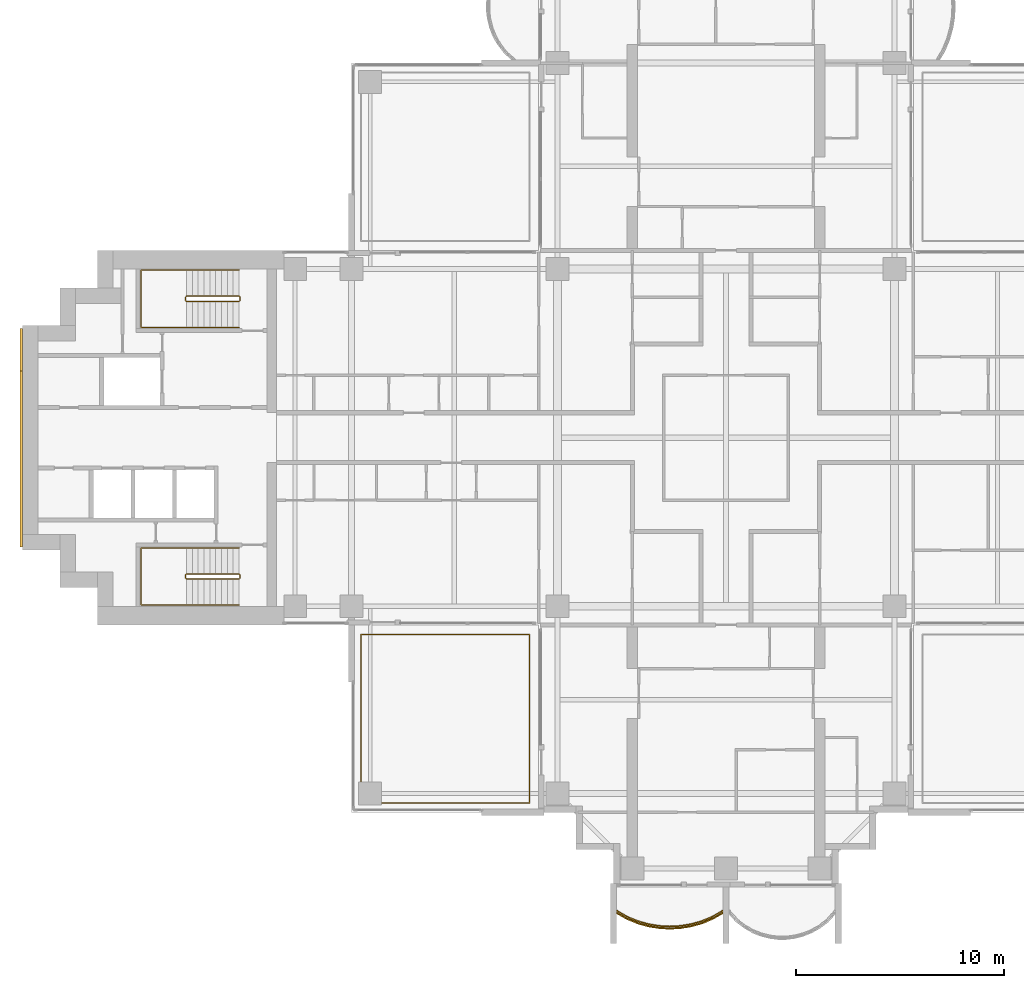
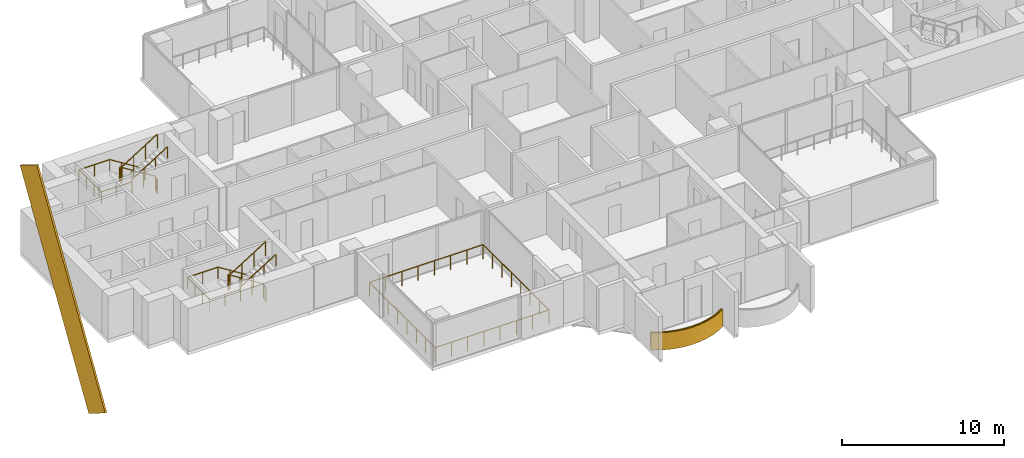
# One storey, part 16 of 19: 6 railings, 2 coverings.
"""IFC4 building model written with IfcOpenShell, lengths in metres."""

from ifc_helpers import new_model, si_unit, direction, frame, origin, origin_2d, place, context, subcontext, project, spatial, polyline, rectangle, outline, extrude, material, layer, layer_set, material_profile, profile_set, type_object, element, save


model = new_model("IFC4")

# Units and contexts
model_context = context("Model", 3, precision=1e-05, world=origin(), true_north=direction((0.0, 1.0)))
body_context = subcontext(model_context, "Body", "Model", "MODEL_VIEW")
ifc_project = project(units=[si_unit("LENGTHUNIT", "METRE"), si_unit("AREAUNIT", "SQUARE_METRE"), si_unit("VOLUMEUNIT", "CUBIC_METRE"), si_unit("PLANEANGLEUNIT", "RADIAN"), si_unit("MASSUNIT", "GRAM", prefix="KILO")], contexts=[model_context])

# Site, building, storey
site_placement = place(None, origin())
site = spatial("IfcSite", under=ifc_project, at=site_placement, CompositionType="ELEMENT")
building_placement = place(site_placement, origin())
building = spatial("IfcBuilding", under=site, at=building_placement, Name="Perihelion Cross Residences", CompositionType="ELEMENT")
storey_placement = place(building_placement, frame((0.0, 0.0, 109.39990234375)))
storey = spatial("IfcBuildingStorey", under=building, at=storey_placement, Name="L25", CompositionType="ELEMENT", Elevation=109.39990234375)

# Covering
ifc_material_1 = material(Name="Bronze anodised aluminium", Category="aluminium")
ifc_layer = layer(ifc_material_1, 0.070068359375)
ifc_layer_set = layer_set([ifc_layer], Name="Balcony fascia 1300")
covering_type_1 = type_object("IfcCoveringType", Name="Balcony fascia 1300", PredefinedType="CLADDING", material=ifc_layer_set)
covering_1_placement = place(storey_placement, frame((0.0, 0.0, -0.199951171875)))
element("IfcCovering", 1, at=covering_1_placement, inside=storey, type_object=covering_type_1, Name="Fascia BF1 L25 south tip south bay 1", PredefinedType="CLADDING", context=body_context, shape_type="SweptSolid", body=[
    extrude(outline(polyline([(-4.7705078125, -23.1484375), (-4.2529296875, -23.36083984375), (-3.735107421875, -23.506591796875), (-3.217529296875, -23.591796875), (-2.699951171875, -23.6201171875), (-2.182373046875, -23.591796875), (-1.664794921875, -23.506591796875), (-1.147216796875, -23.36083984375), (-0.629638671875, -23.1484375), (-0.14990234375, -22.880126953125), (-0.14990234375, -22.800048828125), (-0.659912109375, -23.085205078125), (-1.169921875, -23.294677734375), (-1.679931640625, -23.438232421875), (-2.18994140625, -23.522216796875), (-2.699951171875, -23.550048828125), (-3.2099609375, -23.522216796875), (-3.719970703125, -23.438232421875), (-4.22998046875, -23.294677734375), (-4.739990234375, -23.085205078125), (-5.25, -22.800048828125), (-5.25, -22.880126953125), (-4.7705078125, -23.1484375)])), origin(), (0.0, 0.0, 1.0), 1.300048828125),
])

# Railings
ifc_material_2 = material(Name="Bronze anodised aluminium", Category="aluminium")
railing_type_1 = type_object("IfcRailingType", Name="Balcony guard 1100", PredefinedType="GUARDRAIL", material=ifc_material_2)
railing_1_placement = place(storey_placement, frame((-5.22509765625, -22.739990234375, 0.0)))
element("IfcRailing", 2, at=railing_1_placement, inside=storey, type_object=railing_type_1, Name="Guard GU1 L25 south tip south bay 1 balcony", PredefinedType="GUARDRAIL", context=body_context, shape_type="SweptSolid", body=[
    extrude(rectangle(XDim=0.048095703125, YDim=0.048095703125, at=origin_2d()), frame((0.0, 0.0, 1.076171875), z_axis=(0.861900760591, -0.507076995033, 0.0), x_axis=(0.507076995033, 0.861900760591, 0.0)), (0.0, 0.0, 1.0), 0.562744140625),
    extrude(rectangle(XDim=0.048095703125, YDim=0.048095703125, at=origin_2d()), frame((0.485107421875, -0.285400390625, 1.076171875), z_axis=(0.925172605972, -0.379546636342, 0.0), x_axis=(0.379546636342, 0.925172605972, 0.0)), (0.0, 0.0, 1.0), 0.55126953125),
    extrude(rectangle(XDim=0.048095703125, YDim=0.048095703125, at=origin_2d()), frame((0.9951171875, -0.49462890625, 1.076171875), z_axis=(0.962594623481, -0.270945734134, 0.0), x_axis=(0.270945734134, 0.962594623481, 0.0)), (0.0, 0.0, 1.0), 0.52978515625),
    extrude(rectangle(XDim=0.048095703125, YDim=0.048095703125, at=origin_2d()), frame((1.505126953125, -0.63818359375, 1.076171875), z_axis=(0.98663538303, -0.162943612803, 0.0), x_axis=(0.162943612803, 0.98663538303, 0.0)), (0.0, 0.0, 1.0), 0.516845703125),
    extrude(rectangle(XDim=0.048095703125, YDim=0.048095703125, at=origin_2d()), frame((2.01513671875, -0.722412109375, 1.076171875), z_axis=(0.998540183677, -0.05401390175, 0.0), x_axis=(0.05401390175, 0.998540183677, 0.0)), (0.0, 0.0, 1.0), 0.5107421875),
    extrude(rectangle(XDim=0.048095703125, YDim=0.048095703125, at=origin_2d()), frame((2.525146484375, -0.75, 1.076171875), z_axis=(0.998540183677, 0.05401390175, 0.0), x_axis=(-0.05401390175, 0.998540183677, 0.0)), (0.0, 0.0, 1.0), 0.5107421875),
    extrude(rectangle(XDim=0.048095703125, YDim=0.048095703125, at=origin_2d()), frame((3.03515625, -0.722412109375, 1.076171875), z_axis=(0.98663538303, 0.162943612803, 0.0), x_axis=(-0.162943612803, 0.98663538303, 0.0)), (0.0, 0.0, 1.0), 0.516845703125),
    extrude(rectangle(XDim=0.048095703125, YDim=0.048095703125, at=origin_2d()), frame((3.545166015625, -0.63818359375, 1.076171875), z_axis=(0.962594623481, 0.270945734134, 0.0), x_axis=(-0.270945734134, 0.962594623481, 0.0)), (0.0, 0.0, 1.0), 0.52978515625),
    extrude(rectangle(XDim=0.048095703125, YDim=0.048095703125, at=origin_2d()), frame((4.05517578125, -0.49462890625, 1.076171875), z_axis=(0.925172605972, 0.379546636342, 0.0), x_axis=(-0.379546636342, 0.925172605972, 0.0)), (0.0, 0.0, 1.0), 0.55126953125),
    extrude(rectangle(XDim=0.048095703125, YDim=0.048095703125, at=origin_2d()), frame((4.565185546875, -0.285400390625, 1.076171875), z_axis=(0.861789164031, 0.507266632806, 0.0), x_axis=(-0.507266632806, 0.861789164031, 0.0)), (0.0, 0.0, 1.0), 0.562744140625),
    extrude(rectangle(XDim=0.0419921875, YDim=0.0419921875, at=origin_2d()), origin(), (0.0, 0.0, 1.0), 1.052001953125),
    extrude(rectangle(XDim=0.0419921875, YDim=0.0419921875, at=origin_2d()), frame((0.485107421875, -0.285400390625, 0.0)), (0.0, 0.0, 1.0), 1.052001953125),
    extrude(rectangle(XDim=0.0419921875, YDim=0.0419921875, at=origin_2d()), frame((0.9951171875, -0.49462890625, 0.0)), (0.0, 0.0, 1.0), 1.052001953125),
    extrude(rectangle(XDim=0.0419921875, YDim=0.0419921875, at=origin_2d()), frame((1.505126953125, -0.63818359375, 0.0)), (0.0, 0.0, 1.0), 1.052001953125),
    extrude(rectangle(XDim=0.0419921875, YDim=0.0419921875, at=origin_2d()), frame((2.01513671875, -0.722412109375, 0.0)), (0.0, 0.0, 1.0), 1.052001953125),
    extrude(rectangle(XDim=0.0419921875, YDim=0.0419921875, at=origin_2d()), frame((2.525146484375, -0.75, 0.0)), (0.0, 0.0, 1.0), 1.052001953125),
    extrude(rectangle(XDim=0.0419921875, YDim=0.0419921875, at=origin_2d()), frame((3.03515625, -0.722412109375, 0.0)), (0.0, 0.0, 1.0), 1.052001953125),
    extrude(rectangle(XDim=0.0419921875, YDim=0.0419921875, at=origin_2d()), frame((3.545166015625, -0.63818359375, 0.0)), (0.0, 0.0, 1.0), 1.052001953125),
    extrude(rectangle(XDim=0.0419921875, YDim=0.0419921875, at=origin_2d()), frame((4.05517578125, -0.49462890625, 0.0)), (0.0, 0.0, 1.0), 1.052001953125),
    extrude(rectangle(XDim=0.0419921875, YDim=0.0419921875, at=origin_2d()), frame((4.565185546875, -0.285400390625, 0.0)), (0.0, 0.0, 1.0), 1.052001953125),
    extrude(rectangle(XDim=0.0419921875, YDim=0.0419921875, at=origin_2d()), frame((5.050048828125, 0.0, 0.0)), (0.0, 0.0, 1.0), 1.052001953125),
])
railing_2_placement = place(storey_placement, frame((-9.449951171875, -17.550048828125, 0.0)))
element("IfcRailing", 3, at=railing_2_placement, inside=storey, type_object=railing_type_1, Name="Guard GU1 L25 pocket south-west 1", PredefinedType="GUARDRAIL", context=body_context, shape_type="SweptSolid", body=[
    extrude(rectangle(XDim=0.048095703125, YDim=0.048095703125, at=origin_2d()), frame((0.0, 0.0, 1.076171875), z_axis=(-1.0, 0.0, 0.0), x_axis=(0.0, -1.0, 0.0)), (0.0, 0.0, 1.0), 8.10009765625),
    extrude(rectangle(XDim=0.048095703125, YDim=0.048095703125, at=origin_2d()), frame((-8.10009765625, 0.0, 1.076171875), z_axis=(0.0, 1.0, 0.0), x_axis=(-1.0, 0.0, 0.0)), (0.0, 0.0, 1.0), 8.10009765625),
    extrude(rectangle(XDim=0.048095703125, YDim=0.048095703125, at=origin_2d()), frame((-8.10009765625, 8.10009765625, 1.076171875), z_axis=(1.0, 0.0, 0.0), x_axis=(0.0, 1.0, 0.0)), (0.0, 0.0, 1.0), 8.10009765625),
    extrude(rectangle(XDim=0.048095703125, YDim=0.048095703125, at=origin_2d()), frame((0.0, 8.10009765625, 1.076171875), z_axis=(0.0, -1.0, 0.0), x_axis=(1.0, 0.0, 0.0)), (0.0, 0.0, 1.0), 8.10009765625),
    extrude(rectangle(XDim=0.0419921875, YDim=0.0419921875, at=origin_2d()), origin(), (0.0, 0.0, 1.0), 1.052001953125),
    extrude(rectangle(XDim=0.0419921875, YDim=0.0419921875, at=origin_2d()), frame((-1.1572265625, 0.0, 0.0)), (0.0, 0.0, 1.0), 1.052001953125),
    extrude(rectangle(XDim=0.0419921875, YDim=0.0419921875, at=origin_2d()), frame((-2.314208984375, 0.0, 0.0)), (0.0, 0.0, 1.0), 1.052001953125),
    extrude(rectangle(XDim=0.0419921875, YDim=0.0419921875, at=origin_2d()), frame((-3.471435546875, 0.0, 0.0)), (0.0, 0.0, 1.0), 1.052001953125),
    extrude(rectangle(XDim=0.0419921875, YDim=0.0419921875, at=origin_2d()), frame((-4.628662109375, 0.0, 0.0)), (0.0, 0.0, 1.0), 1.052001953125),
    extrude(rectangle(XDim=0.0419921875, YDim=0.0419921875, at=origin_2d()), frame((-5.785888671875, 0.0, 0.0)), (0.0, 0.0, 1.0), 1.052001953125),
    extrude(rectangle(XDim=0.0419921875, YDim=0.0419921875, at=origin_2d()), frame((-6.94287109375, 0.0, 0.0)), (0.0, 0.0, 1.0), 1.052001953125),
    extrude(rectangle(XDim=0.0419921875, YDim=0.0419921875, at=origin_2d()), frame((-8.10009765625, 0.0, 0.0)), (0.0, 0.0, 1.0), 1.052001953125),
    extrude(rectangle(XDim=0.0419921875, YDim=0.0419921875, at=origin_2d()), frame((-8.10009765625, 1.1572265625, 0.0)), (0.0, 0.0, 1.0), 1.052001953125),
    extrude(rectangle(XDim=0.0419921875, YDim=0.0419921875, at=origin_2d()), frame((-8.10009765625, 2.314208984375, 0.0)), (0.0, 0.0, 1.0), 1.052001953125),
    extrude(rectangle(XDim=0.0419921875, YDim=0.0419921875, at=origin_2d()), frame((-8.10009765625, 3.471435546875, 0.0)), (0.0, 0.0, 1.0), 1.052001953125),
    extrude(rectangle(XDim=0.0419921875, YDim=0.0419921875, at=origin_2d()), frame((-8.10009765625, 4.628662109375, 0.0)), (0.0, 0.0, 1.0), 1.052001953125),
    extrude(rectangle(XDim=0.0419921875, YDim=0.0419921875, at=origin_2d()), frame((-8.10009765625, 5.785888671875, 0.0)), (0.0, 0.0, 1.0), 1.052001953125),
    extrude(rectangle(XDim=0.0419921875, YDim=0.0419921875, at=origin_2d()), frame((-8.10009765625, 6.94287109375, 0.0)), (0.0, 0.0, 1.0), 1.052001953125),
    extrude(rectangle(XDim=0.0419921875, YDim=0.0419921875, at=origin_2d()), frame((-8.10009765625, 8.10009765625, 0.0)), (0.0, 0.0, 1.0), 1.052001953125),
    extrude(rectangle(XDim=0.0419921875, YDim=0.0419921875, at=origin_2d()), frame((-6.94287109375, 8.10009765625, 0.0)), (0.0, 0.0, 1.0), 1.052001953125),
    extrude(rectangle(XDim=0.0419921875, YDim=0.0419921875, at=origin_2d()), frame((-5.785888671875, 8.10009765625, 0.0)), (0.0, 0.0, 1.0), 1.052001953125),
    extrude(rectangle(XDim=0.0419921875, YDim=0.0419921875, at=origin_2d()), frame((-4.628662109375, 8.10009765625, 0.0)), (0.0, 0.0, 1.0), 1.052001953125),
    extrude(rectangle(XDim=0.0419921875, YDim=0.0419921875, at=origin_2d()), frame((-3.471435546875, 8.10009765625, 0.0)), (0.0, 0.0, 1.0), 1.052001953125),
    extrude(rectangle(XDim=0.0419921875, YDim=0.0419921875, at=origin_2d()), frame((-2.314208984375, 8.10009765625, 0.0)), (0.0, 0.0, 1.0), 1.052001953125),
    extrude(rectangle(XDim=0.0419921875, YDim=0.0419921875, at=origin_2d()), frame((-1.1572265625, 8.10009765625, 0.0)), (0.0, 0.0, 1.0), 1.052001953125),
    extrude(rectangle(XDim=0.0419921875, YDim=0.0419921875, at=origin_2d()), frame((0.0, 8.10009765625, 0.0)), (0.0, 0.0, 1.0), 1.052001953125),
    extrude(rectangle(XDim=0.0419921875, YDim=0.0419921875, at=origin_2d()), frame((0.0, 6.94287109375, 0.0)), (0.0, 0.0, 1.0), 1.052001953125),
    extrude(rectangle(XDim=0.0419921875, YDim=0.0419921875, at=origin_2d()), frame((0.0, 5.785888671875, 0.0)), (0.0, 0.0, 1.0), 1.052001953125),
    extrude(rectangle(XDim=0.0419921875, YDim=0.0419921875, at=origin_2d()), frame((0.0, 4.628662109375, 0.0)), (0.0, 0.0, 1.0), 1.052001953125),
    extrude(rectangle(XDim=0.0419921875, YDim=0.0419921875, at=origin_2d()), frame((0.0, 3.471435546875, 0.0)), (0.0, 0.0, 1.0), 1.052001953125),
    extrude(rectangle(XDim=0.0419921875, YDim=0.0419921875, at=origin_2d()), frame((0.0, 2.314208984375, 0.0)), (0.0, 0.0, 1.0), 1.052001953125),
    extrude(rectangle(XDim=0.0419921875, YDim=0.0419921875, at=origin_2d()), frame((0.0, 1.1572265625, 0.0)), (0.0, 0.0, 1.0), 1.052001953125),
])

# Covering
ifc_material_3 = material(Name="Bronze anodised aluminium", Category="aluminium")
ifc_material_profile = material_profile(ifc_material_3, rectangle(XDim=0.125, YDim=2.39990234375, at=origin_2d()), Name="Bronze cladding band 2400")
ifc_profile_set = profile_set([ifc_material_profile], Name="Bronze anodised aluminium")
covering_type_2 = type_object("IfcCoveringType", Name="Bronze cladding band 2400", PredefinedType="CLADDING", material=ifc_profile_set)
covering_2_placement = place(storey_placement, frame((-33.862548828125, -4.232421875, -6.214111328125), z_axis=(0.0, 0.529924750763, 0.848044667767), x_axis=(-1.0, 0.0, 0.0)))
element("IfcCovering", 4, at=covering_2_placement, inside=storey, type_object=covering_type_2, Name="Core cladding band, west core", PredefinedType="CLADDING", context=body_context, shape_type="SweptSolid", body=[
    extrude(rectangle(XDim=0.125, YDim=2.39990234375, at=origin_2d()), origin(), (0.0, 0.0, 1.0), 15.9736328125),
])

# Railings
ifc_material_4 = material(Name="Stainless steel", Category="steel")
railing_type_2 = type_object("IfcRailingType", Name="Stair guard 1100", PredefinedType="GUARDRAIL", material=ifc_material_4)
railing_3_placement = place(storey_placement, frame((-23.35009765625, 6.60009765625, 0.0)))
element("IfcRailing", 5, at=railing_3_placement, inside=storey, type_object=railing_type_2, Name="L25 ST-W1 stair guard 1", PredefinedType="GUARDRAIL", context=body_context, shape_type="SweptSolid", body=[
    extrude(rectangle(XDim=0.048095703125, YDim=0.048095703125, at=origin_2d()), frame((0.0, 0.0, 1.076171875), z_axis=(0.0, 1.0, 0.0), x_axis=(-1.0, 0.0, 0.0)), (0.0, 0.0, 1.0), 0.14990234375),
    extrude(rectangle(XDim=0.048095703125, YDim=0.048095703125, at=origin_2d()), frame((0.0, 0.14990234375, 1.076171875), z_axis=(-0.263862480399, 0.265155923931, 0.927399011991), x_axis=(-0.708833529934, -0.705375805398, 0.0)), (0.0, 0.0, 1.0), 0.188720703125),
    extrude(rectangle(XDim=0.048095703125, YDim=0.048095703125, at=origin_2d()), frame((-0.0498046875, 0.199951171875, 1.2509765625), z_axis=(-0.848007534815, 0.0, 0.529984170421), x_axis=(0.0, -1.0, 0.0)), (0.0, 0.0, 1.0), 2.9716796875),
    extrude(rectangle(XDim=0.048095703125, YDim=0.048095703125, at=origin_2d()), frame((-2.56982421875, 0.199951171875, 2.826171875), z_axis=(-0.707106781187, -0.707106781187, 0.0), x_axis=(0.707106781187, -0.707106781187, 0.0)), (0.0, 0.0, 1.0), 0.07080078125),
    extrude(rectangle(XDim=0.048095703125, YDim=0.048095703125, at=origin_2d()), frame((-2.619873046875, 0.14990234375, 2.826171875), z_axis=(0.0, -1.0, 0.0), x_axis=(1.0, 0.0, 0.0)), (0.0, 0.0, 1.0), 0.14990234375),
    extrude(rectangle(XDim=0.048095703125, YDim=0.048095703125, at=origin_2d()), frame((-2.619873046875, 0.0, 2.826171875), z_axis=(0.265065253269, -0.265065253269, 0.927081885822), x_axis=(0.707106781187, 0.707106781187, 0.0)), (0.0, 0.0, 1.0), 0.188720703125),
    extrude(rectangle(XDim=0.048095703125, YDim=0.048095703125, at=origin_2d()), frame((-2.56982421875, -0.050048828125, 3.0009765625), z_axis=(0.848007534815, 0.0, 0.529984170421), x_axis=(0.0, 1.0, 0.0)), (0.0, 0.0, 1.0), 2.9716796875),
    extrude(rectangle(XDim=0.0419921875, YDim=0.0419921875, at=origin_2d()), origin(), (0.0, 0.0, 1.0), 1.052001953125),
    extrude(rectangle(XDim=0.0419921875, YDim=0.0419921875, at=origin_2d()), frame((0.0, 0.14990234375, 0.0)), (0.0, 0.0, 1.0), 1.052001953125),
    extrude(rectangle(XDim=0.0419921875, YDim=0.0419921875, at=origin_2d()), frame((-0.0498046875, 0.199951171875, 0.175048828125)), (0.0, 0.0, 1.0), 1.052001953125),
    extrude(rectangle(XDim=0.0419921875, YDim=0.0419921875, at=origin_2d()), frame((-0.889892578125, 0.199951171875, 0.699951171875)), (0.0, 0.0, 1.0), 1.052001953125),
    extrude(rectangle(XDim=0.0419921875, YDim=0.0419921875, at=origin_2d()), frame((-1.729736328125, 0.199951171875, 1.22509765625)), (0.0, 0.0, 1.0), 1.052001953125),
    extrude(rectangle(XDim=0.0419921875, YDim=0.0419921875, at=origin_2d()), frame((-2.56982421875, 0.199951171875, 1.75)), (0.0, 0.0, 1.0), 1.052001953125),
    extrude(rectangle(XDim=0.0419921875, YDim=0.0419921875, at=origin_2d()), frame((-2.619873046875, 0.14990234375, 1.75)), (0.0, 0.0, 1.0), 1.052001953125),
    extrude(rectangle(XDim=0.0419921875, YDim=0.0419921875, at=origin_2d()), frame((-2.619873046875, 0.0, 1.75)), (0.0, 0.0, 1.0), 1.052001953125),
    extrude(rectangle(XDim=0.0419921875, YDim=0.0419921875, at=origin_2d()), frame((-2.56982421875, -0.050048828125, 1.925048828125)), (0.0, 0.0, 1.0), 1.052001953125),
    extrude(rectangle(XDim=0.0419921875, YDim=0.0419921875, at=origin_2d()), frame((-1.729736328125, -0.050048828125, 2.449951171875)), (0.0, 0.0, 1.0), 1.052001953125),
    extrude(rectangle(XDim=0.0419921875, YDim=0.0419921875, at=origin_2d()), frame((-0.889892578125, -0.050048828125, 2.97509765625)), (0.0, 0.0, 1.0), 1.052001953125),
    extrude(rectangle(XDim=0.0419921875, YDim=0.0419921875, at=origin_2d()), frame((-0.0498046875, -0.050048828125, 3.5)), (0.0, 0.0, 1.0), 1.052001953125),
])
railing_4_placement = place(storey_placement, frame((-23.35009765625, -6.75, 0.0)))
element("IfcRailing", 6, at=railing_4_placement, inside=storey, type_object=railing_type_2, Name="L25 ST-W2 stair guard 1", PredefinedType="GUARDRAIL", context=body_context, shape_type="SweptSolid", body=[
    extrude(rectangle(XDim=0.048095703125, YDim=0.048095703125, at=origin_2d()), frame((0.0, 0.0, 1.076171875), z_axis=(0.0, 1.0, 0.0), x_axis=(-1.0, 0.0, 0.0)), (0.0, 0.0, 1.0), 0.14990234375),
    extrude(rectangle(XDim=0.048095703125, YDim=0.048095703125, at=origin_2d()), frame((0.0, 0.14990234375, 1.076171875), z_axis=(-0.263862480399, 0.265155923931, 0.927399011991), x_axis=(-0.708833529934, -0.705375805398, 0.0)), (0.0, 0.0, 1.0), 0.188720703125),
    extrude(rectangle(XDim=0.048095703125, YDim=0.048095703125, at=origin_2d()), frame((-0.0498046875, 0.199951171875, 1.2509765625), z_axis=(-0.848007534815, 0.0, 0.529984170421), x_axis=(0.0, -1.0, 0.0)), (0.0, 0.0, 1.0), 2.9716796875),
    extrude(rectangle(XDim=0.048095703125, YDim=0.048095703125, at=origin_2d()), frame((-2.56982421875, 0.199951171875, 2.826171875), z_axis=(-0.707106781187, -0.707106781187, 0.0), x_axis=(0.707106781187, -0.707106781187, 0.0)), (0.0, 0.0, 1.0), 0.07080078125),
    extrude(rectangle(XDim=0.048095703125, YDim=0.048095703125, at=origin_2d()), frame((-2.619873046875, 0.14990234375, 2.826171875), z_axis=(0.0, -1.0, 0.0), x_axis=(1.0, 0.0, 0.0)), (0.0, 0.0, 1.0), 0.14990234375),
    extrude(rectangle(XDim=0.048095703125, YDim=0.048095703125, at=origin_2d()), frame((-2.619873046875, 0.0, 2.826171875), z_axis=(0.265065253269, -0.265065253269, 0.927081885822), x_axis=(0.707106781187, 0.707106781187, 0.0)), (0.0, 0.0, 1.0), 0.188720703125),
    extrude(rectangle(XDim=0.048095703125, YDim=0.048095703125, at=origin_2d()), frame((-2.56982421875, -0.050048828125, 3.0009765625), z_axis=(0.848007534815, 0.0, 0.529984170421), x_axis=(0.0, 1.0, 0.0)), (0.0, 0.0, 1.0), 2.9716796875),
    extrude(rectangle(XDim=0.0419921875, YDim=0.0419921875, at=origin_2d()), origin(), (0.0, 0.0, 1.0), 1.052001953125),
    extrude(rectangle(XDim=0.0419921875, YDim=0.0419921875, at=origin_2d()), frame((0.0, 0.14990234375, 0.0)), (0.0, 0.0, 1.0), 1.052001953125),
    extrude(rectangle(XDim=0.0419921875, YDim=0.0419921875, at=origin_2d()), frame((-0.0498046875, 0.199951171875, 0.175048828125)), (0.0, 0.0, 1.0), 1.052001953125),
    extrude(rectangle(XDim=0.0419921875, YDim=0.0419921875, at=origin_2d()), frame((-0.889892578125, 0.199951171875, 0.699951171875)), (0.0, 0.0, 1.0), 1.052001953125),
    extrude(rectangle(XDim=0.0419921875, YDim=0.0419921875, at=origin_2d()), frame((-1.729736328125, 0.199951171875, 1.22509765625)), (0.0, 0.0, 1.0), 1.052001953125),
    extrude(rectangle(XDim=0.0419921875, YDim=0.0419921875, at=origin_2d()), frame((-2.56982421875, 0.199951171875, 1.75)), (0.0, 0.0, 1.0), 1.052001953125),
    extrude(rectangle(XDim=0.0419921875, YDim=0.0419921875, at=origin_2d()), frame((-2.619873046875, 0.14990234375, 1.75)), (0.0, 0.0, 1.0), 1.052001953125),
    extrude(rectangle(XDim=0.0419921875, YDim=0.0419921875, at=origin_2d()), frame((-2.619873046875, 0.0, 1.75)), (0.0, 0.0, 1.0), 1.052001953125),
    extrude(rectangle(XDim=0.0419921875, YDim=0.0419921875, at=origin_2d()), frame((-2.56982421875, -0.050048828125, 1.925048828125)), (0.0, 0.0, 1.0), 1.052001953125),
    extrude(rectangle(XDim=0.0419921875, YDim=0.0419921875, at=origin_2d()), frame((-1.729736328125, -0.050048828125, 2.449951171875)), (0.0, 0.0, 1.0), 1.052001953125),
    extrude(rectangle(XDim=0.0419921875, YDim=0.0419921875, at=origin_2d()), frame((-0.889892578125, -0.050048828125, 2.97509765625)), (0.0, 0.0, 1.0), 1.052001953125),
    extrude(rectangle(XDim=0.0419921875, YDim=0.0419921875, at=origin_2d()), frame((-0.0498046875, -0.050048828125, 3.5)), (0.0, 0.0, 1.0), 1.052001953125),
])
ifc_material_5 = material(Name="Stainless steel", Category="steel")
railing_type_3 = type_object("IfcRailingType", Name="Stair handrail 900", PredefinedType="HANDRAIL", material=ifc_material_5)
railing_5_placement = place(storey_placement, frame((-23.39990234375, 8.050048828125, 0.175048828125)))
element("IfcRailing", 7, at=railing_5_placement, inside=storey, type_object=railing_type_3, Name="L25 ST-W1 stair handrail 1", PredefinedType="HANDRAIL", context=body_context, shape_type="SweptSolid", body=[
    extrude(rectangle(XDim=0.048095703125, YDim=0.048095703125, at=origin_2d()), frame((0.0, 0.0, 0.8759765625), z_axis=(-0.848007534815, 0.0, 0.529984170421), x_axis=(0.0, -1.0, 0.0)), (0.0, 0.0, 1.0), 2.9716796875),
    extrude(rectangle(XDim=0.048095703125, YDim=0.048095703125, at=origin_2d()), frame((-2.52001953125, 0.0, 2.45068359375), z_axis=(-1.0, 0.0, 0.0), x_axis=(0.0, -1.0, 0.0)), (0.0, 0.0, 1.0), 2.18017578125),
    extrude(rectangle(XDim=0.048095703125, YDim=0.048095703125, at=origin_2d()), frame((-4.7001953125, 0.0, 2.45068359375), z_axis=(0.0, -1.0, 0.0), x_axis=(1.0, 0.0, 0.0)), (0.0, 0.0, 1.0), 2.75),
    extrude(rectangle(XDim=0.048095703125, YDim=0.048095703125, at=origin_2d()), frame((-4.7001953125, -2.75, 2.45068359375), z_axis=(1.0, 0.0, 0.0), x_axis=(0.0, 1.0, 0.0)), (0.0, 0.0, 1.0), 2.18017578125),
    extrude(rectangle(XDim=0.048095703125, YDim=0.048095703125, at=origin_2d()), frame((-2.52001953125, -2.75, 2.45068359375), z_axis=(0.0, 0.0, 1.0), x_axis=(1.0, 0.0, 0.0)), (0.0, 0.0, 1.0), 0.175048828125),
    extrude(rectangle(XDim=0.048095703125, YDim=0.048095703125, at=origin_2d()), frame((-2.52001953125, -2.75, 2.6259765625), z_axis=(0.848007534815, 0.0, 0.529984170421), x_axis=(0.0, 1.0, 0.0)), (0.0, 0.0, 1.0), 2.9716796875),
    extrude(rectangle(XDim=0.0419921875, YDim=0.0419921875, at=origin_2d()), origin(), (0.0, 0.0, 1.0), 0.851806640625),
    extrude(rectangle(XDim=0.0419921875, YDim=0.0419921875, at=origin_2d()), frame((-0.840087890625, 0.0, 0.52490234375)), (0.0, 0.0, 1.0), 0.851806640625),
    extrude(rectangle(XDim=0.0419921875, YDim=0.0419921875, at=origin_2d()), frame((-1.679931640625, 0.0, 1.050048828125)), (0.0, 0.0, 1.0), 0.851806640625),
    extrude(rectangle(XDim=0.0419921875, YDim=0.0419921875, at=origin_2d()), frame((-2.52001953125, 0.0, 1.574951171875)), (0.0, 0.0, 1.0), 0.851806640625),
    extrude(rectangle(XDim=0.0419921875, YDim=0.0419921875, at=origin_2d()), frame((-3.610107421875, 0.0, 1.574951171875)), (0.0, 0.0, 1.0), 0.851806640625),
    extrude(rectangle(XDim=0.0419921875, YDim=0.0419921875, at=origin_2d()), frame((-4.7001953125, 0.0, 1.574951171875)), (0.0, 0.0, 1.0), 0.851806640625),
    extrude(rectangle(XDim=0.0419921875, YDim=0.0419921875, at=origin_2d()), frame((-4.7001953125, -0.916748046875, 1.574951171875)), (0.0, 0.0, 1.0), 0.851806640625),
    extrude(rectangle(XDim=0.0419921875, YDim=0.0419921875, at=origin_2d()), frame((-4.7001953125, -1.833251953125, 1.574951171875)), (0.0, 0.0, 1.0), 0.851806640625),
    extrude(rectangle(XDim=0.0419921875, YDim=0.0419921875, at=origin_2d()), frame((-4.7001953125, -2.75, 1.574951171875)), (0.0, 0.0, 1.0), 0.851806640625),
    extrude(rectangle(XDim=0.0419921875, YDim=0.0419921875, at=origin_2d()), frame((-3.610107421875, -2.75, 1.574951171875)), (0.0, 0.0, 1.0), 0.851806640625),
    extrude(rectangle(XDim=0.0419921875, YDim=0.0419921875, at=origin_2d()), frame((-2.52001953125, -2.75, 1.574951171875)), (0.0, 0.0, 1.0), 0.851806640625),
    extrude(rectangle(XDim=0.0419921875, YDim=0.0419921875, at=origin_2d()), frame((-2.52001953125, -2.75, 1.75)), (0.0, 0.0, 1.0), 0.851806640625),
    extrude(rectangle(XDim=0.0419921875, YDim=0.0419921875, at=origin_2d()), frame((-1.679931640625, -2.75, 2.27490234375)), (0.0, 0.0, 1.0), 0.851806640625),
    extrude(rectangle(XDim=0.0419921875, YDim=0.0419921875, at=origin_2d()), frame((-0.840087890625, -2.75, 2.800048828125)), (0.0, 0.0, 1.0), 0.851806640625),
    extrude(rectangle(XDim=0.0419921875, YDim=0.0419921875, at=origin_2d()), frame((0.0, -2.75, 3.324951171875)), (0.0, 0.0, 1.0), 0.851806640625),
])
railing_6_placement = place(storey_placement, frame((-23.39990234375, -5.300048828125, 0.175048828125)))
element("IfcRailing", 8, at=railing_6_placement, inside=storey, type_object=railing_type_3, Name="L25 ST-W2 stair handrail 1", PredefinedType="HANDRAIL", context=body_context, shape_type="SweptSolid", body=[
    extrude(rectangle(XDim=0.048095703125, YDim=0.048095703125, at=origin_2d()), frame((0.0, 0.0, 0.8759765625), z_axis=(-0.848007534815, 0.0, 0.529984170421), x_axis=(0.0, -1.0, 0.0)), (0.0, 0.0, 1.0), 2.9716796875),
    extrude(rectangle(XDim=0.048095703125, YDim=0.048095703125, at=origin_2d()), frame((-2.52001953125, 0.0, 2.45068359375), z_axis=(-1.0, 0.0, 0.0), x_axis=(0.0, -1.0, 0.0)), (0.0, 0.0, 1.0), 2.18017578125),
    extrude(rectangle(XDim=0.048095703125, YDim=0.048095703125, at=origin_2d()), frame((-4.7001953125, 0.0, 2.45068359375), z_axis=(0.0, -1.0, 0.0), x_axis=(1.0, 0.0, 0.0)), (0.0, 0.0, 1.0), 2.75),
    extrude(rectangle(XDim=0.048095703125, YDim=0.048095703125, at=origin_2d()), frame((-4.7001953125, -2.75, 2.45068359375), z_axis=(1.0, 0.0, 0.0), x_axis=(0.0, 1.0, 0.0)), (0.0, 0.0, 1.0), 2.18017578125),
    extrude(rectangle(XDim=0.048095703125, YDim=0.048095703125, at=origin_2d()), frame((-2.52001953125, -2.75, 2.45068359375), z_axis=(0.0, 0.0, 1.0), x_axis=(1.0, 0.0, 0.0)), (0.0, 0.0, 1.0), 0.175048828125),
    extrude(rectangle(XDim=0.048095703125, YDim=0.048095703125, at=origin_2d()), frame((-2.52001953125, -2.75, 2.6259765625), z_axis=(0.848007534815, 0.0, 0.529984170421), x_axis=(0.0, 1.0, 0.0)), (0.0, 0.0, 1.0), 2.9716796875),
    extrude(rectangle(XDim=0.0419921875, YDim=0.0419921875, at=origin_2d()), origin(), (0.0, 0.0, 1.0), 0.851806640625),
    extrude(rectangle(XDim=0.0419921875, YDim=0.0419921875, at=origin_2d()), frame((-0.840087890625, 0.0, 0.52490234375)), (0.0, 0.0, 1.0), 0.851806640625),
    extrude(rectangle(XDim=0.0419921875, YDim=0.0419921875, at=origin_2d()), frame((-1.679931640625, 0.0, 1.050048828125)), (0.0, 0.0, 1.0), 0.851806640625),
    extrude(rectangle(XDim=0.0419921875, YDim=0.0419921875, at=origin_2d()), frame((-2.52001953125, 0.0, 1.574951171875)), (0.0, 0.0, 1.0), 0.851806640625),
    extrude(rectangle(XDim=0.0419921875, YDim=0.0419921875, at=origin_2d()), frame((-3.610107421875, 0.0, 1.574951171875)), (0.0, 0.0, 1.0), 0.851806640625),
    extrude(rectangle(XDim=0.0419921875, YDim=0.0419921875, at=origin_2d()), frame((-4.7001953125, 0.0, 1.574951171875)), (0.0, 0.0, 1.0), 0.851806640625),
    extrude(rectangle(XDim=0.0419921875, YDim=0.0419921875, at=origin_2d()), frame((-4.7001953125, -0.916748046875, 1.574951171875)), (0.0, 0.0, 1.0), 0.851806640625),
    extrude(rectangle(XDim=0.0419921875, YDim=0.0419921875, at=origin_2d()), frame((-4.7001953125, -1.833251953125, 1.574951171875)), (0.0, 0.0, 1.0), 0.851806640625),
    extrude(rectangle(XDim=0.0419921875, YDim=0.0419921875, at=origin_2d()), frame((-4.7001953125, -2.75, 1.574951171875)), (0.0, 0.0, 1.0), 0.851806640625),
    extrude(rectangle(XDim=0.0419921875, YDim=0.0419921875, at=origin_2d()), frame((-3.610107421875, -2.75, 1.574951171875)), (0.0, 0.0, 1.0), 0.851806640625),
    extrude(rectangle(XDim=0.0419921875, YDim=0.0419921875, at=origin_2d()), frame((-2.52001953125, -2.75, 1.574951171875)), (0.0, 0.0, 1.0), 0.851806640625),
    extrude(rectangle(XDim=0.0419921875, YDim=0.0419921875, at=origin_2d()), frame((-2.52001953125, -2.75, 1.75)), (0.0, 0.0, 1.0), 0.851806640625),
    extrude(rectangle(XDim=0.0419921875, YDim=0.0419921875, at=origin_2d()), frame((-1.679931640625, -2.75, 2.27490234375)), (0.0, 0.0, 1.0), 0.851806640625),
    extrude(rectangle(XDim=0.0419921875, YDim=0.0419921875, at=origin_2d()), frame((-0.840087890625, -2.75, 2.800048828125)), (0.0, 0.0, 1.0), 0.851806640625),
    extrude(rectangle(XDim=0.0419921875, YDim=0.0419921875, at=origin_2d()), frame((0.0, -2.75, 3.324951171875)), (0.0, 0.0, 1.0), 0.851806640625),
])

save(model, "model.ifc")
